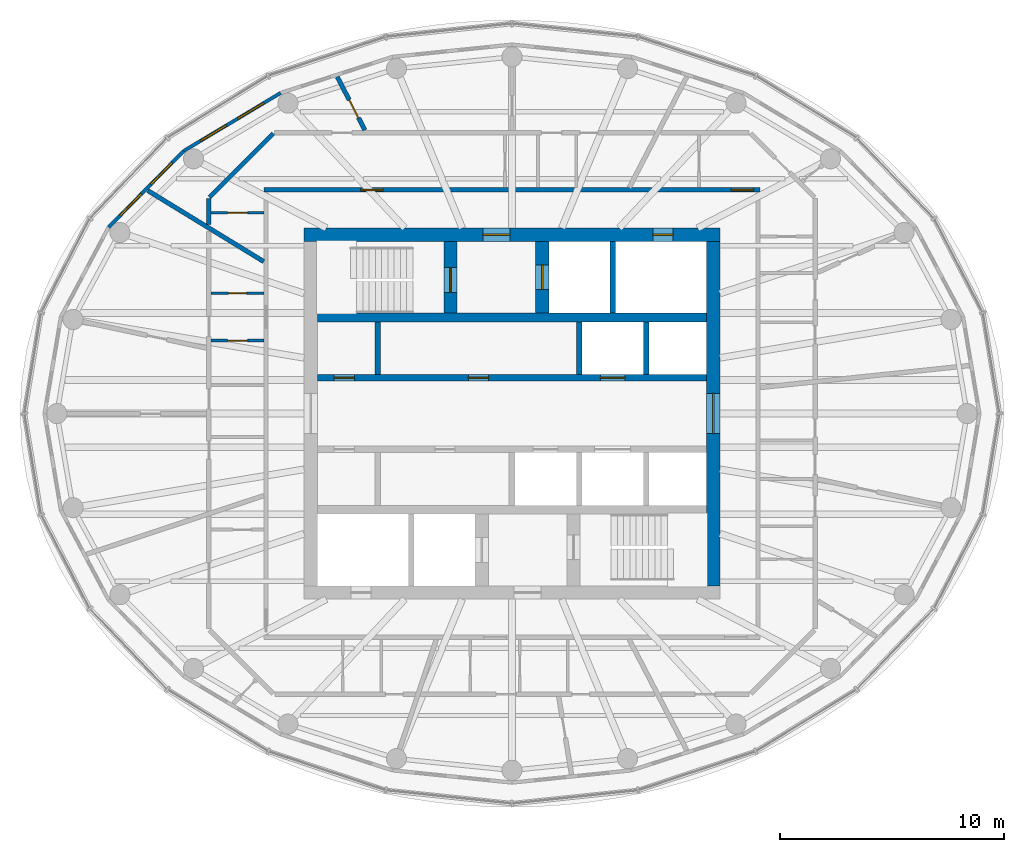
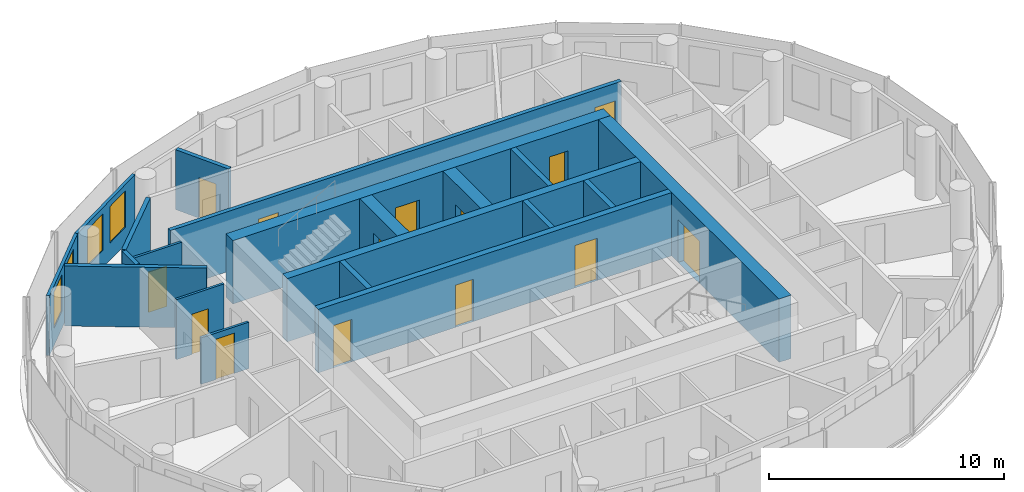
# One storey, part 7 of 11: 20 walls, 14 doors, 4 windows, 18 openings.
"""IFC4 building model written with IfcOpenShell, lengths in metres."""

from ifc_helpers import new_model, si_unit, direction, frame, frame_2d, origin, place, context, subcontext, project, spatial, rectangle, extrude, material, layer, layer_set, type_object, element, fill, save


model = new_model("IFC4")

# Units and contexts
model_context = context("Model", 3, precision=1e-05, world=origin(), true_north=direction((0.0, 1.0)))
body_context = subcontext(model_context, "Body", "Model", "MODEL_VIEW")
ifc_project = project(units=[si_unit("LENGTHUNIT", "METRE"), si_unit("AREAUNIT", "SQUARE_METRE"), si_unit("VOLUMEUNIT", "CUBIC_METRE"), si_unit("PLANEANGLEUNIT", "RADIAN"), si_unit("MASSUNIT", "GRAM", prefix="KILO")], contexts=[model_context])

# Site, building, storey
site_placement = place(None, origin())
site = spatial("IfcSite", under=ifc_project, at=site_placement, CompositionType="ELEMENT")
building_placement = place(site_placement, origin())
building = spatial("IfcBuilding", under=site, at=building_placement, Name="Hankou Lantern Tower", CompositionType="ELEMENT")
storey_placement = place(building_placement, frame((0.0, 0.0, 212.699951171875)))
storey = spatial("IfcBuildingStorey", under=building, at=storey_placement, Name="L57", CompositionType="ELEMENT", Elevation=212.699951171875)

# Wall, openings, doors
ifc_material_1 = material(Name="Concrete C60", Category="concrete")
ifc_layer_1 = layer(ifc_material_1, 0.60009765625)
ifc_layer_set_1 = layer_set([ifc_layer_1], Name="Concrete C60")
wall_type_1 = type_object("IfcWallType", Name="CW3 CORE WALL 600", PredefinedType="SHEAR", material=ifc_layer_set_1)
wall_1_placement = place(storey_placement, frame((-9.300048828125, 8.0, 0.0), z_axis=(0.0, 0.0, 1.0), x_axis=(1.0, 0.0, 0.0)))
wall_1 = element("IfcWall", 1, at=wall_1_placement, inside=storey, type_object=wall_type_1, Name="Core wall north L57", PredefinedType="SHEAR", context=body_context, shape_type="SweptSolid", body=[
    extrude(rectangle(XDim=18.60009765625, YDim=0.60009765625, at=frame_2d((9.300048828125, 0.0))), origin(), (0.0, 0.0, 1.0), 3.300048828125),
])
opening_1_placement = place(wall_1_placement, frame((8.0, 0.0, 0.0)))
opening_1 = element("IfcOpeningElement", 2, at=opening_1_placement, cuts=wall_1, Name="Opening D5", PredefinedType="OPENING", context=body_context, shape_type="SweptSolid", body=[
    extrude(rectangle(XDim=1.199951171875, YDim=2.199951171875, at=frame_2d((0.60009765625, 1.10009765625))), frame((0.0, 0.31005859375, 0.0), z_axis=(0.0, -1.0, 0.0), x_axis=(1.0, 0.0, 0.0)), (0.0, 0.0, 1.0), 0.6201171875),
])
opening_2_placement = place(wall_1_placement, frame((15.60009765625, 0.0, 0.0)))
opening_2 = element("IfcOpeningElement", 3, at=opening_2_placement, cuts=wall_1, Name="Opening D7", PredefinedType="OPENING", context=body_context, shape_type="SweptSolid", body=[
    extrude(rectangle(XDim=0.89990234375, YDim=2.199951171875, at=frame_2d((0.449951171875, 1.10009765625))), frame((0.0, 0.31005859375, 0.0), z_axis=(0.0, -1.0, 0.0), x_axis=(1.0, 0.0, 0.0)), (0.0, 0.0, 1.0), 0.6201171875),
])
ifc_material_2 = material(Name="Steel door leaf", Category="steel")
door_type_1 = type_object("IfcDoorType", Name="D5 STAIR LOBBY DOOR 1200X2200", OperationType="SINGLE_SWING_LEFT", PredefinedType="DOOR", material=ifc_material_2)
door_1_placement = place(opening_1_placement, origin())
door_1 = element("IfcDoor", 4, at=door_1_placement, inside=storey, type_object=door_type_1, Name="Stair A lobby door", OperationType="SINGLE_SWING_LEFT", OverallHeight=2.199951171875, OverallWidth=1.199951171875, PredefinedType="DOOR", context=body_context, shape_type="SweptSolid", body=[
    extrude(rectangle(XDim=1.199951171875, YDim=2.199951171875, at=frame_2d((0.60009765625, 1.10009765625))), frame((0.0, 0.02490234375, 0.0), z_axis=(0.0, -1.0, 0.0), x_axis=(1.0, 0.0, 0.0)), (0.0, 0.0, 1.0), 0.050048828125),
])
fill(opening_1, door_1)
ifc_material_3 = material(Name="Steel door leaf", Category="steel")
door_type_2 = type_object("IfcDoorType", Name="D7 RISER DOOR 900X2200", OperationType="SINGLE_SWING_LEFT", PredefinedType="DOOR", material=ifc_material_3)
door_2_placement = place(opening_2_placement, origin())
door_2 = element("IfcDoor", 5, at=door_2_placement, inside=storey, type_object=door_type_2, Name="Riser N1 door", OperationType="SINGLE_SWING_RIGHT", OverallHeight=2.199951171875, OverallWidth=0.89990234375, PredefinedType="DOOR", context=body_context, shape_type="SweptSolid", body=[
    extrude(rectangle(XDim=0.89990234375, YDim=2.199951171875, at=frame_2d((0.449951171875, 1.10009765625))), frame((0.0, 0.02490234375, 0.0), z_axis=(0.0, -1.0, 0.0), x_axis=(1.0, 0.0, 0.0)), (0.0, 0.0, 1.0), 0.050048828125),
])
fill(opening_2, door_2)

# Wall, opening, door
wall_2_placement = place(storey_placement, frame((9.0, -7.699951171875, 0.0), z_axis=(0.0, 0.0, 1.0), x_axis=(0.0, 1.0, 0.0)))
wall_2 = element("IfcWall", 6, at=wall_2_placement, inside=storey, type_object=wall_type_1, Name="Core wall east L57", PredefinedType="SHEAR", context=body_context, shape_type="SweptSolid", body=[
    extrude(rectangle(XDim=15.39990234375, YDim=0.60009765625, at=frame_2d((7.699951171875, 0.0))), origin(), (0.0, 0.0, 1.0), 3.300048828125),
])
opening_3_placement = place(wall_2_placement, frame((6.800048828125, 0.0, 0.0)))
opening_3 = element("IfcOpeningElement", 7, at=opening_3_placement, cuts=wall_2, Name="Opening D6", PredefinedType="OPENING", context=body_context, shape_type="SweptSolid", body=[
    extrude(rectangle(XDim=1.800048828125, YDim=2.199951171875, at=frame_2d((0.89990234375, 1.10009765625))), frame((0.0, 0.31005859375, 0.0), z_axis=(0.0, -1.0, 0.0), x_axis=(1.0, 0.0, 0.0)), (0.0, 0.0, 1.0), 0.6201171875),
])
ifc_material_4 = material(Name="Steel door leaf", Category="steel")
door_type_3 = type_object("IfcDoorType", Name="D6 LIFT LOBBY DOOR 1800X2200", OperationType="DOUBLE_DOOR_DOUBLE_SWING", PredefinedType="DOOR", material=ifc_material_4)
door_3_placement = place(opening_3_placement, origin())
door_3 = element("IfcDoor", 8, at=door_3_placement, inside=storey, type_object=door_type_3, Name="Lift lobby east door", OperationType="DOUBLE_DOOR_DOUBLE_SWING", OverallHeight=2.199951171875, OverallWidth=1.800048828125, PredefinedType="DOOR", context=body_context, shape_type="SweptSolid", body=[
    extrude(rectangle(XDim=1.800048828125, YDim=2.199951171875, at=frame_2d((0.89990234375, 1.10009765625))), frame((0.0, 0.02490234375, 0.0), z_axis=(0.0, -1.0, 0.0), x_axis=(1.0, 0.0, 0.0)), (0.0, 0.0, 1.0), 0.050048828125),
])
fill(opening_3, door_3)

# Wall
ifc_material_5 = material(Name="Concrete C60", Category="concrete")
ifc_layer_2 = layer(ifc_material_5, 0.39990234375)
ifc_layer_set_2 = layer_set([ifc_layer_2], Name="Concrete C60")
wall_type_2 = type_object("IfcWallType", Name="CW4 CORE CROSS WALL 400", PredefinedType="SHEAR", material=ifc_layer_set_2)
wall_3_placement = place(storey_placement, frame((-8.699951171875, 4.300048828125, 0.0), z_axis=(0.0, 0.0, 1.0), x_axis=(1.0, 0.0, 0.0)))
element("IfcWall", 9, at=wall_3_placement, inside=storey, type_object=wall_type_2, Name="Core band wall north L57", PredefinedType="SHEAR", context=body_context, shape_type="SweptSolid", body=[
    extrude(rectangle(XDim=17.39990234375, YDim=0.39990234375, at=frame_2d((8.699951171875, 0.0))), origin(), (0.0, 0.0, 1.0), 3.300048828125),
])

# Wall, openings, doors
ifc_material_6 = material(Name="Concrete C60", Category="concrete")
ifc_layer_3 = layer(ifc_material_6, 0.300048828125)
ifc_layer_set_3 = layer_set([ifc_layer_3], Name="Concrete C60")
wall_type_3 = type_object("IfcWallType", Name="CW5 LIFT LOBBY WALL 300", PredefinedType="SHEAR", material=ifc_layer_set_3)
wall_4_placement = place(storey_placement, frame((-8.699951171875, 1.60009765625, 0.0), z_axis=(0.0, 0.0, 1.0), x_axis=(1.0, 0.0, 0.0)))
wall_4 = element("IfcWall", 10, at=wall_4_placement, inside=storey, type_object=wall_type_3, Name="Lift lobby wall north L57", PredefinedType="SHEAR", context=body_context, shape_type="SweptSolid", body=[
    extrude(rectangle(XDim=17.39990234375, YDim=0.300048828125, at=frame_2d((8.699951171875, 0.0))), origin(), (0.0, 0.0, 1.0), 3.300048828125),
])
opening_4_placement = place(wall_4_placement, frame((12.64990234375, 0.0, 0.0)))
opening_4 = element("IfcOpeningElement", 11, at=opening_4_placement, cuts=wall_4, Name="Opening LD1", PredefinedType="OPENING", context=body_context, shape_type="SweptSolid", body=[
    extrude(rectangle(XDim=1.10009765625, YDim=2.199951171875, at=frame_2d((0.550048828125, 1.10009765625))), frame((0.0, 0.159912109375, 0.0), z_axis=(0.0, -1.0, 0.0), x_axis=(1.0, 0.0, 0.0)), (0.0, 0.0, 1.0), 0.320068359375),
])
opening_5_placement = place(wall_4_placement, frame((0.75, 0.0, 0.0)))
opening_5 = element("IfcOpeningElement", 12, at=opening_5_placement, cuts=wall_4, Name="Opening D30", PredefinedType="OPENING", context=body_context, shape_type="SweptSolid", body=[
    extrude(rectangle(XDim=0.89990234375, YDim=2.199951171875, at=frame_2d((0.449951171875, 1.10009765625))), frame((0.0, 0.159912109375, 0.0), z_axis=(0.0, -1.0, 0.0), x_axis=(1.0, 0.0, 0.0)), (0.0, 0.0, 1.0), 0.320068359375),
])
opening_6_placement = place(wall_4_placement, frame((6.75, 0.0, 0.0)))
opening_6 = element("IfcOpeningElement", 13, at=opening_6_placement, cuts=wall_4, Name="Opening D30", PredefinedType="OPENING", context=body_context, shape_type="SweptSolid", body=[
    extrude(rectangle(XDim=0.89990234375, YDim=2.199951171875, at=frame_2d((0.449951171875, 1.10009765625))), frame((0.0, 0.159912109375, 0.0), z_axis=(0.0, -1.0, 0.0), x_axis=(1.0, 0.0, 0.0)), (0.0, 0.0, 1.0), 0.320068359375),
])
ifc_material_7 = material(Name="Steel door leaf", Category="steel")
door_type_4 = type_object("IfcDoorType", Name="D30 CORE ROOM DOOR 900X2200", OperationType="SINGLE_SWING_LEFT", PredefinedType="DOOR", material=ifc_material_7)
door_4_placement = place(opening_5_placement, origin())
door_4 = element("IfcDoor", 14, at=door_4_placement, inside=storey, type_object=door_type_4, Name="Engineering store door", OperationType="SINGLE_SWING_LEFT", OverallHeight=2.199951171875, OverallWidth=0.89990234375, PredefinedType="DOOR", context=body_context, shape_type="SweptSolid", body=[
    extrude(rectangle(XDim=0.89990234375, YDim=2.199951171875, at=frame_2d((0.449951171875, 1.10009765625))), frame((0.0, 0.02490234375, 0.0), z_axis=(0.0, -1.0, 0.0), x_axis=(1.0, 0.0, 0.0)), (0.0, 0.0, 1.0), 0.050048828125),
])
fill(opening_5, door_4)
door_5_placement = place(opening_6_placement, origin())
door_5 = element("IfcDoor", 15, at=door_5_placement, inside=storey, type_object=door_type_4, Name="Housekeeping and linen store door", OperationType="SINGLE_SWING_LEFT", OverallHeight=2.199951171875, OverallWidth=0.89990234375, PredefinedType="DOOR", context=body_context, shape_type="SweptSolid", body=[
    extrude(rectangle(XDim=0.89990234375, YDim=2.199951171875, at=frame_2d((0.449951171875, 1.10009765625))), frame((0.0, 0.02490234375, 0.0), z_axis=(0.0, -1.0, 0.0), x_axis=(1.0, 0.0, 0.0)), (0.0, 0.0, 1.0), 0.050048828125),
])
fill(opening_6, door_5)
ifc_material_8 = material(Name="Steel door leaf", Category="steel")
door_type_5 = type_object("IfcDoorType", Name="LD1 LIFT LANDING DOOR 1100X2200", OperationType="DOUBLE_DOOR_SLIDING", PredefinedType="DOOR", material=ifc_material_8)
door_6_placement = place(opening_4_placement, origin())
door_6 = element("IfcDoor", 16, at=door_6_placement, inside=storey, type_object=door_type_5, Name="Lift T1 landing door", OperationType="DOUBLE_DOOR_SLIDING", OverallHeight=2.199951171875, OverallWidth=1.10009765625, PredefinedType="DOOR", context=body_context, shape_type="SweptSolid", body=[
    extrude(rectangle(XDim=1.10009765625, YDim=2.199951171875, at=frame_2d((0.550048828125, 1.10009765625))), frame((0.0, 0.02490234375, 0.0), z_axis=(0.0, -1.0, 0.0), x_axis=(1.0, 0.0, 0.0)), (0.0, 0.0, 1.0), 0.050048828125),
])
fill(opening_4, door_6)

# Wall, opening, door
ifc_material_9 = material(Name="Concrete C60", Category="concrete")
ifc_layer_4 = layer(ifc_material_9, 0.60009765625)
ifc_layer_set_4 = layer_set([ifc_layer_4], Name="Concrete C60")
wall_type_4 = type_object("IfcWallType", Name="CW6 STAIR AND SHAFT WALL 600", PredefinedType="SHEAR", material=ifc_layer_set_4)
wall_5_placement = place(storey_placement, frame((-2.75, 4.5, 0.0), z_axis=(0.0, 0.0, 1.0), x_axis=(0.0, 1.0, 0.0)))
wall_5 = element("IfcWall", 17, at=wall_5_placement, inside=storey, type_object=wall_type_4, Name="Stair wall L57", PredefinedType="SHEAR", context=body_context, shape_type="SweptSolid", body=[
    extrude(rectangle(XDim=3.199951171875, YDim=0.60009765625, at=frame_2d((1.60009765625, 0.0))), origin(), (0.0, 0.0, 1.0), 3.300048828125),
])
opening_7_placement = place(wall_5_placement, frame((0.925048828125, 0.0, 0.0)))
opening_7 = element("IfcOpeningElement", 18, at=opening_7_placement, cuts=wall_5, Name="Opening D4", PredefinedType="OPENING", context=body_context, shape_type="SweptSolid", body=[
    extrude(rectangle(XDim=1.10009765625, YDim=2.199951171875, at=frame_2d((0.550048828125, 1.10009765625))), frame((0.0, 0.31005859375, 0.0), z_axis=(0.0, -1.0, 0.0), x_axis=(1.0, 0.0, 0.0)), (0.0, 0.0, 1.0), 0.6201171875),
])
ifc_material_10 = material(Name="Steel door leaf", Category="steel")
door_type_6 = type_object("IfcDoorType", Name="D4 STAIR DOOR 1100X2200", OperationType="SINGLE_SWING_LEFT", PredefinedType="DOOR", material=ifc_material_10)
door_7_placement = place(opening_7_placement, origin())
door_7 = element("IfcDoor", 19, at=door_7_placement, inside=storey, type_object=door_type_6, Name="Stair A door", OperationType="SINGLE_SWING_LEFT", OverallHeight=2.199951171875, OverallWidth=1.10009765625, PredefinedType="DOOR", context=body_context, shape_type="SweptSolid", body=[
    extrude(rectangle(XDim=1.10009765625, YDim=2.199951171875, at=frame_2d((0.550048828125, 1.10009765625))), frame((0.0, 0.02490234375, 0.0), z_axis=(0.0, -1.0, 0.0), x_axis=(1.0, 0.0, 0.0)), (0.0, 0.0, 1.0), 0.050048828125),
])
fill(opening_7, door_7)

wall_6_placement = place(storey_placement, frame((1.35009765625, 4.5, 0.0), z_axis=(0.0, 0.0, 1.0), x_axis=(0.0, 1.0, 0.0)))
wall_6 = element("IfcWall", 20, at=wall_6_placement, inside=storey, type_object=wall_type_4, Name="Firefighting lift shaft wall L57", PredefinedType="SHEAR", context=body_context, shape_type="SweptSolid", body=[
    extrude(rectangle(XDim=3.199951171875, YDim=0.60009765625, at=frame_2d((1.60009765625, 0.0))), origin(), (0.0, 0.0, 1.0), 3.300048828125),
])
opening_8_placement = place(wall_6_placement, frame((1.050048828125, 0.0, 0.0)))
opening_8 = element("IfcOpeningElement", 21, at=opening_8_placement, cuts=wall_6, Name="Opening LD2", PredefinedType="OPENING", context=body_context, shape_type="SweptSolid", body=[
    extrude(rectangle(XDim=1.10009765625, YDim=2.199951171875, at=frame_2d((0.550048828125, 1.10009765625))), frame((0.0, 0.31005859375, 0.0), z_axis=(0.0, -1.0, 0.0), x_axis=(1.0, 0.0, 0.0)), (0.0, 0.0, 1.0), 0.6201171875),
])
ifc_material_11 = material(Name="Steel door leaf", Category="steel")
door_type_7 = type_object("IfcDoorType", Name="LD2 FIREFIGHTING LIFT LANDING DOOR 1100X2200", OperationType="DOUBLE_DOOR_SLIDING", PredefinedType="DOOR", material=ifc_material_11)
door_8_placement = place(opening_8_placement, origin())
door_8 = element("IfcDoor", 22, at=door_8_placement, inside=storey, type_object=door_type_7, Name="Firefighting lift FL1 landing door", OperationType="DOUBLE_DOOR_SLIDING", OverallHeight=2.199951171875, OverallWidth=1.10009765625, PredefinedType="DOOR", context=body_context, shape_type="SweptSolid", body=[
    extrude(rectangle(XDim=1.10009765625, YDim=2.199951171875, at=frame_2d((0.550048828125, 1.10009765625))), frame((0.0, 0.02490234375, 0.0), z_axis=(0.0, -1.0, 0.0), x_axis=(1.0, 0.0, 0.0)), (0.0, 0.0, 1.0), 0.050048828125),
])
fill(opening_8, door_8)

# Wall, openings, windows
ifc_material_12 = material(Name="Aluminium spandrel panel on steel studs", Category="steel")
ifc_layer_5 = layer(ifc_material_12, 0.14990234375)
ifc_layer_set_5 = layer_set([ifc_layer_5], Name="Aluminium spandrel panel on steel studs")
wall_type_5 = type_object("IfcWallType", Name="EW1 INNER SKIN WALL 150", PredefinedType="ELEMENTEDWALL", material=ifc_layer_set_5)
wall_7_placement = place(storey_placement, frame((-10.346435546875, 14.33642578125, 0.0), z_axis=(0.0, 0.0, 1.0), x_axis=(-0.85822150553, -0.513279502265, 0.0)))
wall_7 = element("IfcWall", 23, at=wall_7_placement, inside=storey, type_object=wall_type_5, Name="Inner skin R09-R10 L57", PredefinedType="ELEMENTEDWALL", context=body_context, shape_type="SweptSolid", body=[
    extrude(rectangle(XDim=5.050048828125, YDim=0.14990234375, at=frame_2d((2.52490234375, 0.0))), origin(), (0.0, 0.0, 1.0), 3.1201171875),
])
opening_9_placement = place(wall_7_placement, frame((0.875, 0.0, 0.89990234375)))
opening_9 = element("IfcOpeningElement", 24, at=opening_9_placement, cuts=wall_7, Name="Opening W4", PredefinedType="OPENING", context=body_context, shape_type="SweptSolid", body=[
    extrude(rectangle(XDim=1.35009765625, YDim=1.89990234375, at=frame_2d((0.675048828125, 0.949951171875))), frame((0.0, 0.0849609375, 0.0), z_axis=(0.0, -1.0, 0.0), x_axis=(1.0, 0.0, 0.0)), (0.0, 0.0, 1.0), 0.169921875),
])
opening_10_placement = place(wall_7_placement, frame((2.824951171875, 0.0, 0.89990234375)))
opening_10 = element("IfcOpeningElement", 25, at=opening_10_placement, cuts=wall_7, Name="Opening W4", PredefinedType="OPENING", context=body_context, shape_type="SweptSolid", body=[
    extrude(rectangle(XDim=1.35009765625, YDim=1.89990234375, at=frame_2d((0.675048828125, 0.949951171875))), frame((0.0, 0.0849609375, 0.0), z_axis=(0.0, -1.0, 0.0), x_axis=(1.0, 0.0, 0.0)), (0.0, 0.0, 1.0), 0.169921875),
])
ifc_material_13 = material(Name="Aluminium framed double glazed window", Category="aluminium")
window_type = type_object("IfcWindowType", Name="W4 SUITE WINDOW 1350X1900", PartitioningType="DOUBLE_PANEL_VERTICAL", PredefinedType="WINDOW", material=ifc_material_13)
window_1_placement = place(opening_9_placement, origin())
window_1 = element("IfcWindow", 26, at=window_1_placement, inside=storey, type_object=window_type, Name="Window R09.1 L57", OverallHeight=1.89990234375, OverallWidth=1.35009765625, PartitioningType="SINGLE_PANEL", PredefinedType="WINDOW", context=body_context, shape_type="SweptSolid", body=[
    extrude(rectangle(XDim=1.35009765625, YDim=1.89990234375, at=frame_2d((0.675048828125, 0.949951171875))), frame((0.0, 0.030029296875, 0.0), z_axis=(0.0, -1.0, 0.0), x_axis=(1.0, 0.0, 0.0)), (0.0, 0.0, 1.0), 0.06005859375),
])
fill(opening_9, window_1)
window_2_placement = place(opening_10_placement, origin())
window_2 = element("IfcWindow", 27, at=window_2_placement, inside=storey, type_object=window_type, Name="Window R09.2 L57", OverallHeight=1.89990234375, OverallWidth=1.35009765625, PartitioningType="SINGLE_PANEL", PredefinedType="WINDOW", context=body_context, shape_type="SweptSolid", body=[
    extrude(rectangle(XDim=1.35009765625, YDim=1.89990234375, at=frame_2d((0.675048828125, 0.949951171875))), frame((0.0, 0.030029296875, 0.0), z_axis=(0.0, -1.0, 0.0), x_axis=(1.0, 0.0, 0.0)), (0.0, 0.0, 1.0), 0.06005859375),
])
fill(opening_10, window_2)

wall_8_placement = place(storey_placement, frame((-14.680419921875, 11.744384765625, 0.0), z_axis=(0.0, 0.0, 1.0), x_axis=(-0.701527379618, -0.712642501993, 0.0)))
wall_8 = element("IfcWall", 28, at=wall_8_placement, inside=storey, type_object=wall_type_5, Name="Inner skin R10-R11 L57", PredefinedType="ELEMENTEDWALL", context=body_context, shape_type="SweptSolid", body=[
    extrude(rectangle(XDim=4.788330078125, YDim=0.14990234375, at=frame_2d((2.39404296875, 0.0))), origin(), (0.0, 0.0, 1.0), 3.1201171875),
])
opening_11_placement = place(wall_8_placement, frame((0.744140625, 0.0, 0.89990234375)))
opening_11 = element("IfcOpeningElement", 29, at=opening_11_placement, cuts=wall_8, Name="Opening W4", PredefinedType="OPENING", context=body_context, shape_type="SweptSolid", body=[
    extrude(rectangle(XDim=1.35009765625, YDim=1.89990234375, at=frame_2d((0.675048828125, 0.949951171875))), frame((0.0, 0.0849609375, 0.0), z_axis=(0.0, -1.0, 0.0), x_axis=(1.0, 0.0, 0.0)), (0.0, 0.0, 1.0), 0.169921875),
])
opening_12_placement = place(wall_8_placement, frame((2.694091796875, 0.0, 0.89990234375)))
opening_12 = element("IfcOpeningElement", 30, at=opening_12_placement, cuts=wall_8, Name="Opening W4", PredefinedType="OPENING", context=body_context, shape_type="SweptSolid", body=[
    extrude(rectangle(XDim=1.35009765625, YDim=1.89990234375, at=frame_2d((0.675048828125, 0.949951171875))), frame((0.0, 0.0849609375, 0.0), z_axis=(0.0, -1.0, 0.0), x_axis=(1.0, 0.0, 0.0)), (0.0, 0.0, 1.0), 0.169921875),
])
window_3_placement = place(opening_11_placement, origin())
window_3 = element("IfcWindow", 31, at=window_3_placement, inside=storey, type_object=window_type, Name="Window R10.1 L57", OverallHeight=1.89990234375, OverallWidth=1.35009765625, PartitioningType="SINGLE_PANEL", PredefinedType="WINDOW", context=body_context, shape_type="SweptSolid", body=[
    extrude(rectangle(XDim=1.35009765625, YDim=1.89990234375, at=frame_2d((0.675048828125, 0.949951171875))), frame((0.0, 0.030029296875, 0.0), z_axis=(0.0, -1.0, 0.0), x_axis=(1.0, 0.0, 0.0)), (0.0, 0.0, 1.0), 0.06005859375),
])
fill(opening_11, window_3)
window_4_placement = place(opening_12_placement, origin())
window_4 = element("IfcWindow", 32, at=window_4_placement, inside=storey, type_object=window_type, Name="Window R10.2 L57", OverallHeight=1.89990234375, OverallWidth=1.35009765625, PartitioningType="SINGLE_PANEL", PredefinedType="WINDOW", context=body_context, shape_type="SweptSolid", body=[
    extrude(rectangle(XDim=1.35009765625, YDim=1.89990234375, at=frame_2d((0.675048828125, 0.949951171875))), frame((0.0, 0.030029296875, 0.0), z_axis=(0.0, -1.0, 0.0), x_axis=(1.0, 0.0, 0.0)), (0.0, 0.0, 1.0), 0.06005859375),
])
fill(opening_12, window_4)

# Wall
ifc_material_14 = material(Name="Masonry lightweight concrete block", Category="masonry")
ifc_layer_6 = layer(ifc_material_14, 0.199951171875)
ifc_layer_set_6 = layer_set([ifc_layer_6], Name="Masonry lightweight concrete block")
wall_type_6 = type_object("IfcWallType", Name="IW1 GUEST ROOM PARTY WALL 200", PredefinedType="PARTITIONING", material=ifc_layer_set_6)
wall_9_placement = place(storey_placement, frame((-11.10009765625, 6.79736328125, 0.0), z_axis=(0.0, 0.0, 1.0), x_axis=(-0.852799818179, 0.522237943963, 0.0)))
element("IfcWall", 33, at=wall_9_placement, inside=storey, type_object=wall_type_6, Name="Party wall R10-R11", PredefinedType="PARTITIONING", context=body_context, shape_type="SweptSolid", body=[
    extrude(rectangle(XDim=6.076904296875, YDim=0.199951171875, at=frame_2d((3.03857421875, 0.0))), origin(), (0.0, 0.0, 1.0), 3.1201171875),
])

# Wall, openings, doors
ifc_material_15 = material(Name="Masonry lightweight concrete block", Category="masonry")
ifc_layer_7 = layer(ifc_material_15, 0.199951171875)
ifc_layer_set_7 = layer_set([ifc_layer_7], Name="Masonry lightweight concrete block")
wall_type_7 = type_object("IfcWallType", Name="IW2 CORRIDOR WALL 200", PredefinedType="PARTITIONING", material=ifc_layer_set_7)
wall_10_placement = place(storey_placement, frame((-11.10009765625, 10.0, 0.0), z_axis=(0.0, 0.0, 1.0), x_axis=(1.0, 0.0, 0.0)))
wall_10 = element("IfcWall", 34, at=wall_10_placement, inside=storey, type_object=wall_type_7, Name="Corridor wall north", PredefinedType="PARTITIONING", context=body_context, shape_type="SweptSolid", body=[
    extrude(rectangle(XDim=22.2001953125, YDim=0.199951171875, at=frame_2d((11.10009765625, 0.0))), origin(), (0.0, 0.0, 1.0), 3.1201171875),
])
opening_13_placement = place(wall_10_placement, frame((20.89990234375, 0.0, 0.0)))
opening_13 = element("IfcOpeningElement", 35, at=opening_13_placement, cuts=wall_10, Name="Opening D2", PredefinedType="OPENING", context=body_context, shape_type="SweptSolid", body=[
    extrude(rectangle(XDim=1.0, YDim=2.199951171875, at=frame_2d((0.5, 1.10009765625))), frame((0.0, 0.10986328125, 0.0), z_axis=(0.0, -1.0, 0.0), x_axis=(1.0, 0.0, 0.0)), (0.0, 0.0, 1.0), 0.219970703125),
])
opening_14_placement = place(wall_10_placement, frame((4.328857421875, 0.0, 0.0)))
opening_14 = element("IfcOpeningElement", 36, at=opening_14_placement, cuts=wall_10, Name="Opening D2", PredefinedType="OPENING", context=body_context, shape_type="SweptSolid", body=[
    extrude(rectangle(XDim=1.0, YDim=2.199951171875, at=frame_2d((0.5, 1.10009765625))), frame((0.0, 0.10986328125, 0.0), z_axis=(0.0, -1.0, 0.0), x_axis=(1.0, 0.0, 0.0)), (0.0, 0.0, 1.0), 0.219970703125),
])
ifc_material_16 = material(Name="Steel door leaf", Category="steel")
door_type_8 = type_object("IfcDoorType", Name="D2 SUITE DOOR 1000X2200", OperationType="SINGLE_SWING_LEFT", PredefinedType="DOOR", material=ifc_material_16)
door_9_placement = place(opening_13_placement, origin())
door_9 = element("IfcDoor", 37, at=door_9_placement, inside=storey, type_object=door_type_8, Name="Suite door 5701", OperationType="SINGLE_SWING_LEFT", OverallHeight=2.199951171875, OverallWidth=1.0, PredefinedType="DOOR", context=body_context, shape_type="SweptSolid", body=[
    extrude(rectangle(XDim=1.0, YDim=2.199951171875, at=frame_2d((0.5, 1.10009765625))), frame((0.0, 0.02490234375, 0.0), z_axis=(0.0, -1.0, 0.0), x_axis=(1.0, 0.0, 0.0)), (0.0, 0.0, 1.0), 0.050048828125),
])
fill(opening_13, door_9)
door_10_placement = place(opening_14_placement, origin())
door_10 = element("IfcDoor", 38, at=door_10_placement, inside=storey, type_object=door_type_8, Name="Suite door 5702", OperationType="SINGLE_SWING_RIGHT", OverallHeight=2.199951171875, OverallWidth=1.0, PredefinedType="DOOR", context=body_context, shape_type="SweptSolid", body=[
    extrude(rectangle(XDim=1.0, YDim=2.199951171875, at=frame_2d((0.5, 1.10009765625))), frame((0.0, 0.02490234375, 0.0), z_axis=(0.0, -1.0, 0.0), x_axis=(1.0, 0.0, 0.0)), (0.0, 0.0, 1.0), 0.050048828125),
])
fill(opening_14, door_10)

# Wall, opening, door
ifc_material_17 = material(Name="Masonry lightweight concrete block", Category="masonry")
ifc_layer_8 = layer(ifc_material_17, 0.1201171875)
ifc_layer_set_8 = layer_set([ifc_layer_8], Name="Masonry lightweight concrete block")
wall_type_8 = type_object("IfcWallType", Name="IW3 BATHROOM WALL 120", PredefinedType="PARTITIONING", material=ifc_layer_set_8)
wall_11_placement = place(storey_placement, frame((-11.10009765625, 8.975830078125, 0.0), z_axis=(0.0, 0.0, 1.0), x_axis=(-1.0, 0.0, 0.0)))
wall_11 = element("IfcWall", 39, at=wall_11_placement, inside=storey, type_object=wall_type_8, Name="Box wall 5702 4", PredefinedType="PARTITIONING", context=body_context, shape_type="SweptSolid", body=[
    extrude(rectangle(XDim=2.349853515625, YDim=0.1201171875, at=frame_2d((1.1748046875, 0.0))), origin(), (0.0, 0.0, 1.0), 3.1201171875),
])
opening_15_placement = place(wall_11_placement, frame((0.719970703125, 0.0, 0.0)))
opening_15 = element("IfcOpeningElement", 40, at=opening_15_placement, cuts=wall_11, Name="Opening D27", PredefinedType="OPENING", context=body_context, shape_type="SweptSolid", body=[
    extrude(rectangle(XDim=0.89990234375, YDim=2.10009765625, at=frame_2d((0.449951171875, 1.050048828125))), frame((0.0, 0.070068359375, 0.0), z_axis=(0.0, -1.0, 0.0), x_axis=(1.0, 0.0, 0.0)), (0.0, 0.0, 1.0), 0.14013671875),
])
ifc_material_18 = material(Name="Timber door leaf", Category="wood")
door_type_9 = type_object("IfcDoorType", Name="D27 INTERNAL DOOR 900X2100", OperationType="SINGLE_SWING_LEFT", PredefinedType="DOOR", material=ifc_material_18)
door_11_placement = place(opening_15_placement, origin())
door_11 = element("IfcDoor", 41, at=door_11_placement, inside=storey, type_object=door_type_9, Name="Corner suite 5702 pantry door", OperationType="SINGLE_SWING_LEFT", OverallHeight=2.10009765625, OverallWidth=0.89990234375, PredefinedType="DOOR", context=body_context, shape_type="SweptSolid", body=[
    extrude(rectangle(XDim=0.89990234375, YDim=2.10009765625, at=frame_2d((0.449951171875, 1.050048828125))), frame((0.0, 0.02490234375, 0.0), z_axis=(0.0, -1.0, 0.0), x_axis=(1.0, 0.0, 0.0)), (0.0, 0.0, 1.0), 0.050048828125),
])
fill(opening_15, door_11)

wall_12_placement = place(storey_placement, frame((-11.10009765625, 5.38525390625, 0.0), z_axis=(0.0, 0.0, 1.0), x_axis=(-1.0, 0.0, 0.0)))
wall_12 = element("IfcWall", 42, at=wall_12_placement, inside=storey, type_object=wall_type_8, Name="Box wall 5703 1", PredefinedType="PARTITIONING", context=body_context, shape_type="SweptSolid", body=[
    extrude(rectangle(XDim=2.349853515625, YDim=0.1201171875, at=frame_2d((1.1748046875, 0.0))), origin(), (0.0, 0.0, 1.0), 3.1201171875),
])
opening_16_placement = place(wall_12_placement, frame((0.77001953125, 0.0, 0.0)))
opening_16 = element("IfcOpeningElement", 43, at=opening_16_placement, cuts=wall_12, Name="Opening D3", PredefinedType="OPENING", context=body_context, shape_type="SweptSolid", body=[
    extrude(rectangle(XDim=0.800048828125, YDim=2.10009765625, at=frame_2d((0.39990234375, 1.050048828125))), frame((0.0, 0.070068359375, 0.0), z_axis=(0.0, -1.0, 0.0), x_axis=(1.0, 0.0, 0.0)), (0.0, 0.0, 1.0), 0.14013671875),
])
ifc_material_19 = material(Name="Timber door leaf", Category="wood")
door_type_10 = type_object("IfcDoorType", Name="D3 BATHROOM DOOR 800X2100", OperationType="SINGLE_SWING_LEFT", PredefinedType="DOOR", material=ifc_material_19)
door_12_placement = place(opening_16_placement, origin())
door_12 = element("IfcDoor", 44, at=door_12_placement, inside=storey, type_object=door_type_10, Name="Corner suite 5703 guest WC door", OperationType="SINGLE_SWING_LEFT", OverallHeight=2.10009765625, OverallWidth=0.800048828125, PredefinedType="DOOR", context=body_context, shape_type="SweptSolid", body=[
    extrude(rectangle(XDim=0.800048828125, YDim=2.10009765625, at=frame_2d((0.39990234375, 1.050048828125))), frame((0.0, 0.02490234375, 0.0), z_axis=(0.0, -1.0, 0.0), x_axis=(1.0, 0.0, 0.0)), (0.0, 0.0, 1.0), 0.050048828125),
])
fill(opening_16, door_12)

wall_13_placement = place(storey_placement, frame((-11.10009765625, 3.265380859375, 0.0), z_axis=(0.0, 0.0, 1.0), x_axis=(-1.0, 0.0, 0.0)))
wall_13 = element("IfcWall", 45, at=wall_13_placement, inside=storey, type_object=wall_type_8, Name="Box wall 5703 2", PredefinedType="PARTITIONING", context=body_context, shape_type="SweptSolid", body=[
    extrude(rectangle(XDim=2.349853515625, YDim=0.1201171875, at=frame_2d((1.1748046875, 0.0))), origin(), (0.0, 0.0, 1.0), 2.420166015625),
])
opening_17_placement = place(wall_13_placement, frame((0.719970703125, 0.0, 0.0)))
opening_17 = element("IfcOpeningElement", 46, at=opening_17_placement, cuts=wall_13, Name="Opening D27", PredefinedType="OPENING", context=body_context, shape_type="SweptSolid", body=[
    extrude(rectangle(XDim=0.89990234375, YDim=2.10009765625, at=frame_2d((0.449951171875, 1.050048828125))), frame((0.0, 0.070068359375, 0.0), z_axis=(0.0, -1.0, 0.0), x_axis=(1.0, 0.0, 0.0)), (0.0, 0.0, 1.0), 0.14013671875),
])
door_13_placement = place(opening_17_placement, origin())
door_13 = element("IfcDoor", 47, at=door_13_placement, inside=storey, type_object=door_type_9, Name="Corner suite 5703 walk-in wardrobe door", OperationType="SINGLE_SWING_LEFT", OverallHeight=2.10009765625, OverallWidth=0.89990234375, PredefinedType="DOOR", context=body_context, shape_type="SweptSolid", body=[
    extrude(rectangle(XDim=0.89990234375, YDim=2.10009765625, at=frame_2d((0.449951171875, 1.050048828125))), frame((0.0, 0.02490234375, 0.0), z_axis=(0.0, -1.0, 0.0), x_axis=(1.0, 0.0, 0.0)), (0.0, 0.0, 1.0), 0.050048828125),
])
fill(opening_17, door_13)

# Walls
ifc_material_20 = material(Name="Masonry lightweight concrete block", Category="masonry")
ifc_layer_9 = layer(ifc_material_20, 0.199951171875)
ifc_layer_set_9 = layer_set([ifc_layer_9], Name="Masonry lightweight concrete block")
wall_type_9 = type_object("IfcWallType", Name="IW6 SUITE PARTITION 200", PredefinedType="PARTITIONING", material=ifc_layer_set_9)
wall_14_placement = place(storey_placement, frame((-10.67919921875, 12.520751953125, 0.0), z_axis=(0.0, 0.0, 1.0), x_axis=(-0.707106781187, -0.707106781187, 0.0)))
element("IfcWall", 48, at=wall_14_placement, inside=storey, type_object=wall_type_9, Name="Suite foyer wall 5702", PredefinedType="PARTITIONING", context=body_context, shape_type="SweptSolid", body=[
    extrude(rectangle(XDim=4.0185546875, YDim=0.199951171875, at=frame_2d((2.00927734375, 0.0))), origin(), (0.0, 0.0, 1.0), 3.1201171875),
])
wall_15_placement = place(storey_placement, frame((-13.550048828125, 9.608642578125, 0.0), z_axis=(0.0, 0.0, 1.0), x_axis=(0.0, -1.0, 0.0)))
element("IfcWall", 49, at=wall_15_placement, inside=storey, type_object=wall_type_9, Name="Suite foyer wall 5702", PredefinedType="PARTITIONING", context=body_context, shape_type="SweptSolid", body=[
    extrude(rectangle(XDim=1.152587890625, YDim=0.199951171875, at=frame_2d((0.576171875, 0.0))), origin(), (0.0, 0.0, 1.0), 3.1201171875),
])

# Wall, opening, door
wall_16_placement = place(storey_placement, frame((-6.578125, 12.676513671875, 0.0), z_axis=(0.0, 0.0, 1.0), x_axis=(-0.460620531465, 0.887597164255, 0.0)))
wall_16 = element("IfcWall", 50, at=wall_16_placement, inside=storey, type_object=wall_type_9, Name="Suite partition R08-R09", PredefinedType="PARTITIONING", context=body_context, shape_type="SweptSolid", body=[
    extrude(rectangle(XDim=2.677734375, YDim=0.199951171875, at=frame_2d((1.3388671875, 0.0))), origin(), (0.0, 0.0, 1.0), 3.1201171875),
])
opening_18_placement = place(wall_16_placement, frame((0.6201171875, 0.0, 0.0)))
opening_18 = element("IfcOpeningElement", 51, at=opening_18_placement, cuts=wall_16, Name="Opening D27", PredefinedType="OPENING", context=body_context, shape_type="SweptSolid", body=[
    extrude(rectangle(XDim=0.89990234375, YDim=2.10009765625, at=frame_2d((0.449951171875, 1.050048828125))), frame((0.0, 0.10986328125, 0.0), z_axis=(0.0, -1.0, 0.0), x_axis=(1.0, 0.0, 0.0)), (0.0, 0.0, 1.0), 0.219970703125),
])
door_14_placement = place(opening_18_placement, origin())
door_14 = element("IfcDoor", 52, at=door_14_placement, inside=storey, type_object=door_type_9, Name="Corner suite 5702 dining room door", OperationType="SINGLE_SWING_LEFT", OverallHeight=2.10009765625, OverallWidth=0.89990234375, PredefinedType="DOOR", context=body_context, shape_type="SweptSolid", body=[
    extrude(rectangle(XDim=0.89990234375, YDim=2.10009765625, at=frame_2d((0.449951171875, 1.050048828125))), frame((0.0, 0.02490234375, 0.0), z_axis=(0.0, -1.0, 0.0), x_axis=(1.0, 0.0, 0.0)), (0.0, 0.0, 1.0), 0.050048828125),
])
fill(opening_18, door_14)

# Walls
ifc_material_21 = material(Name="Masonry autoclaved aerated concrete block", Category="masonry")
ifc_layer_10 = layer(ifc_material_21, 0.25)
ifc_layer_set_10 = layer_set([ifc_layer_10], Name="Masonry autoclaved aerated concrete block")
wall_type_10 = type_object("IfcWallType", Name="SW1 SHAFT BLOCK WALL 250", PredefinedType="PARTITIONING", material=ifc_layer_set_10)
wall_17_placement = place(storey_placement, frame((4.5, 4.5, 0.0), z_axis=(0.0, 0.0, 1.0), x_axis=(0.0, 1.0, 0.0)))
element("IfcWall", 53, at=wall_17_placement, inside=storey, type_object=wall_type_10, Name="Riser wall L57", PredefinedType="PARTITIONING", context=body_context, shape_type="SweptSolid", body=[
    extrude(rectangle(XDim=3.199951171875, YDim=0.25, at=frame_2d((1.60009765625, 0.0))), origin(), (0.0, 0.0, 1.0), 3.300048828125),
])
for number, where, z_axis, x_axis, name in (
    (54, (-6.0, 1.75, 0.0), (0.0, 0.0, 1.0), (0.0, 1.0, 0.0), "Lift shaft wall L57"),
    (55, (3.0, 1.75, 0.0), (0.0, 0.0, 1.0), (0.0, 1.0, 0.0), "Lift shaft wall L57"),
    (56, (6.0, 1.75, 0.0), (0.0, 0.0, 1.0), (0.0, 1.0, 0.0), "Lift shaft wall L57"),
):
    element("IfcWall", number, at=place(storey_placement, frame(where, z_axis=z_axis, x_axis=x_axis)), inside=storey, type_object=wall_type_10, Name=name, PredefinedType="PARTITIONING", context=body_context, shape_type="SweptSolid", body=[
        extrude(rectangle(XDim=2.35009765625, YDim=0.25, at=frame_2d((1.175048828125, 0.0))), origin(), (0.0, 0.0, 1.0), 3.300048828125),
    ])

save(model, "model.ifc")
